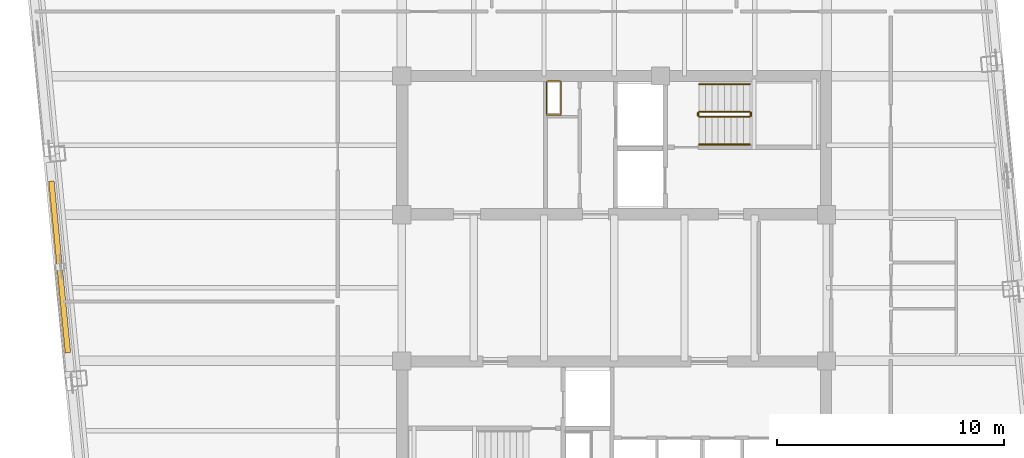
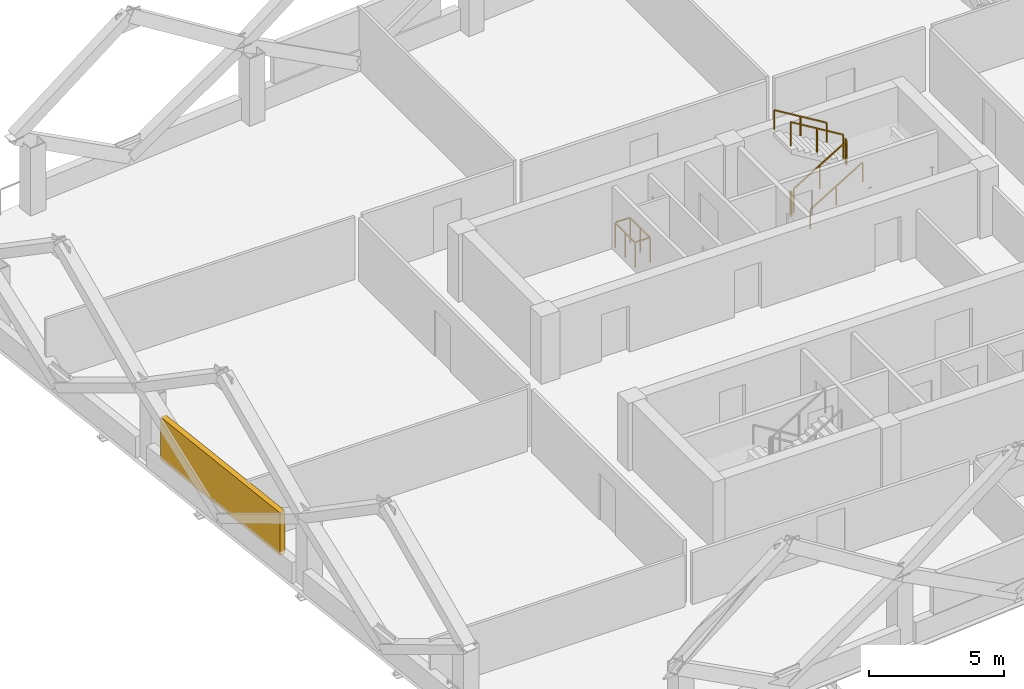
# One storey, part 8 of 9: 7 railings, 1 shading device.
"""IFC4 building model written with IfcOpenShell, lengths in metres."""

from ifc_helpers import new_model, si_unit, direction, frame, origin, origin_2d, place, context, subcontext, project, spatial, rectangle, extrude, material, type_object, element, save


model = new_model("IFC4")

# Units and contexts
model_context = context("Model", 3, precision=1e-05, world=origin(), true_north=direction((0.0, 1.0)))
body_context = subcontext(model_context, "Body", "Model", "MODEL_VIEW")
ifc_project = project(units=[si_unit("LENGTHUNIT", "METRE"), si_unit("AREAUNIT", "SQUARE_METRE"), si_unit("VOLUMEUNIT", "CUBIC_METRE"), si_unit("PLANEANGLEUNIT", "RADIAN"), si_unit("MASSUNIT", "GRAM", prefix="KILO")], contexts=[model_context])

# Site, building, storey
site_placement = place(None, origin())
site = spatial("IfcSite", under=ifc_project, at=site_placement, CompositionType="ELEMENT")
building_placement = place(site_placement, origin())
building = spatial("IfcBuilding", under=site, at=building_placement, Name="Qhalaya Broadcast Tower", CompositionType="ELEMENT")
storey_placement = place(building_placement, frame((0.0, 0.0, 180.550048828125)))
storey = spatial("IfcBuildingStorey", under=building, at=storey_placement, Name="L53", CompositionType="ELEMENT", Elevation=180.550048828125)

# Railings
ifc_material_1 = material(Name="Powder-Coated Galvanised Steel", Category="steel")
railing_type_1 = type_object("IfcRailingType", Name="Stair Wall Handrail 900", PredefinedType="HANDRAIL", material=ifc_material_1)
railing_1_placement = place(storey_placement, frame((3.75, 6.929931640625, 0.16943359375)))
element("IfcRailing", 1, at=railing_1_placement, inside=storey, type_object=railing_type_1, Name="L53 ST-1 Stair Handrail 1", PredefinedType="HANDRAIL", context=body_context, shape_type="SweptSolid", body=[
    extrude(rectangle(XDim=0.048095703125, YDim=0.048095703125, at=origin_2d()), frame((0.0, 0.0, 0.8759765625), z_axis=(0.855553338991, 0.0, 0.51771467445), x_axis=(0.0, 1.0, 0.0)), (0.0, 0.0, 1.0), 2.6181640625),
    extrude(rectangle(XDim=0.0419921875, YDim=0.0419921875, at=origin_2d()), origin(), (0.0, 0.0, 1.0), 0.849853515625),
    extrude(rectangle(XDim=0.0419921875, YDim=0.0419921875, at=origin_2d()), frame((1.1201171875, 0.0, 0.677734375)), (0.0, 0.0, 1.0), 0.849853515625),
    extrude(rectangle(XDim=0.0419921875, YDim=0.0419921875, at=origin_2d()), frame((2.239990234375, 0.0, 1.35546875)), (0.0, 0.0, 1.0), 0.849853515625),
])
railing_2_placement = place(storey_placement, frame((5.989990234375, 9.590087890625, 1.6943359375)))
element("IfcRailing", 2, at=railing_2_placement, inside=storey, type_object=railing_type_1, Name="L53 ST-1 Stair Handrail 2", PredefinedType="HANDRAIL", context=body_context, shape_type="SweptSolid", body=[
    extrude(rectangle(XDim=0.048095703125, YDim=0.048095703125, at=origin_2d()), frame((0.0, 0.0, 0.8759765625), z_axis=(-0.855512035549, 0.0, 0.517782924622), x_axis=(0.0, -1.0, 0.0)), (0.0, 0.0, 1.0), 2.618408203125),
    extrude(rectangle(XDim=0.0419921875, YDim=0.0419921875, at=origin_2d()), origin(), (0.0, 0.0, 1.0), 0.849853515625),
    extrude(rectangle(XDim=0.0419921875, YDim=0.0419921875, at=origin_2d()), frame((-1.1201171875, 0.0, 0.677734375)), (0.0, 0.0, 1.0), 0.849853515625),
    extrude(rectangle(XDim=0.0419921875, YDim=0.0419921875, at=origin_2d()), frame((-2.239990234375, 0.0, 1.355712890625)), (0.0, 0.0, 1.0), 0.849853515625),
])
railing_type_2 = type_object("IfcRailingType", Name="Stair Well & Landing Guardrail 1100", PredefinedType="GUARDRAIL", material=ifc_material_1)
railing_3_placement = place(storey_placement, frame((-2.340087890625, 8.239990234375, 0.0)))
element("IfcRailing", 3, at=railing_3_placement, inside=storey, type_object=railing_type_2, Name="L53 Service Riser Opening Safety Guard NRSR", PredefinedType="GUARDRAIL", context=body_context, shape_type="SweptSolid", body=[
    extrude(rectangle(XDim=0.048095703125, YDim=0.048095703125, at=origin_2d()), frame((0.0, 0.02880859375, 1.1259765625), z_axis=(0.0, 1.0, 0.0), x_axis=(-1.0, 0.0, 0.0)), (0.0, 0.0, 1.0), 1.42236328125),
    extrude(rectangle(XDim=0.048095703125, YDim=0.048095703125, at=origin_2d()), frame((-0.02880859375, 1.47998046875, 1.1259765625), z_axis=(-1.0, 0.0, 0.0), x_axis=(0.0, -1.0, 0.0)), (0.0, 0.0, 1.0), 0.582275390625),
    extrude(rectangle(XDim=0.048095703125, YDim=0.048095703125, at=origin_2d()), frame((-0.639892578125, 1.451171875, 1.1259765625), z_axis=(0.0, -1.0, 0.0), x_axis=(1.0, 0.0, 0.0)), (0.0, 0.0, 1.0), 1.42236328125),
    extrude(rectangle(XDim=0.048095703125, YDim=0.048095703125, at=origin_2d()), frame((-0.611083984375, 0.0, 1.1259765625), z_axis=(1.0, 0.0, 0.0), x_axis=(0.0, 1.0, 0.0)), (0.0, 0.0, 1.0), 0.582275390625),
    extrude(rectangle(XDim=0.0419921875, YDim=0.0419921875, at=origin_2d()), origin(), (0.0, 0.0, 1.0), 1.099853515625),
    extrude(rectangle(XDim=0.0419921875, YDim=0.0419921875, at=origin_2d()), frame((0.0, 0.739990234375, 0.0)), (0.0, 0.0, 1.0), 1.099853515625),
    extrude(rectangle(XDim=0.0419921875, YDim=0.0419921875, at=origin_2d()), frame((0.0, 1.47998046875, 0.0)), (0.0, 0.0, 1.0), 1.099853515625),
    extrude(rectangle(XDim=0.0419921875, YDim=0.0419921875, at=origin_2d()), frame((-0.639892578125, 1.47998046875, 0.0)), (0.0, 0.0, 1.0), 1.099853515625),
    extrude(rectangle(XDim=0.0419921875, YDim=0.0419921875, at=origin_2d()), frame((-0.639892578125, 0.739990234375, 0.0)), (0.0, 0.0, 1.0), 1.099853515625),
    extrude(rectangle(XDim=0.0419921875, YDim=0.0419921875, at=origin_2d()), frame((-0.639892578125, 0.0, 0.0)), (0.0, 0.0, 1.0), 1.099853515625),
])
railing_4_placement = place(storey_placement, frame((3.75, 8.14990234375, 0.16943359375)))
element("IfcRailing", 4, at=railing_4_placement, inside=storey, type_object=railing_type_2, Name="L53 ST-1 Stair Guard 1", PredefinedType="GUARDRAIL", context=body_context, shape_type="SweptSolid", body=[
    extrude(rectangle(XDim=0.048095703125, YDim=0.048095703125, at=origin_2d()), frame((0.0, 0.0, 1.076171875), z_axis=(0.855553338991, 0.0, 0.51771467445), x_axis=(0.0, 1.0, 0.0)), (0.0, 0.0, 1.0), 2.6181640625),
    extrude(rectangle(XDim=0.0419921875, YDim=0.0419921875, at=origin_2d()), origin(), (0.0, 0.0, 1.0), 1.050048828125),
    extrude(rectangle(XDim=0.0419921875, YDim=0.0419921875, at=origin_2d()), frame((1.1201171875, 0.0, 0.677734375)), (0.0, 0.0, 1.0), 1.050048828125),
    extrude(rectangle(XDim=0.0419921875, YDim=0.0419921875, at=origin_2d()), frame((2.239990234375, 0.0, 1.35546875)), (0.0, 0.0, 1.0), 1.050048828125),
])
railing_5_placement = place(storey_placement, frame((6.0400390625, 8.199951171875, 1.52490234375)))
element("IfcRailing", 5, at=railing_5_placement, inside=storey, type_object=railing_type_2, Name="L53 ST-1 Stair Guard 2", PredefinedType="GUARDRAIL", context=body_context, shape_type="SweptSolid", body=[
    extrude(rectangle(XDim=0.048095703125, YDim=0.048095703125, at=origin_2d()), frame((0.0, 0.0, 1.076171875), z_axis=(0.0, 1.0, 0.0), x_axis=(-1.0, 0.0, 0.0)), (0.0, 0.0, 1.0), 0.1201171875),
    extrude(rectangle(XDim=0.0419921875, YDim=0.0419921875, at=origin_2d()), origin(), (0.0, 0.0, 1.0), 1.050048828125),
    extrude(rectangle(XDim=0.0419921875, YDim=0.0419921875, at=origin_2d()), frame((0.0, 0.1201171875, 0.0)), (0.0, 0.0, 1.0), 1.050048828125),
])
railing_6_placement = place(storey_placement, frame((5.989990234375, 8.3701171875, 1.6943359375)))
element("IfcRailing", 6, at=railing_6_placement, inside=storey, type_object=railing_type_2, Name="L53 ST-1 Stair Guard 3", PredefinedType="GUARDRAIL", context=body_context, shape_type="SweptSolid", body=[
    extrude(rectangle(XDim=0.048095703125, YDim=0.048095703125, at=origin_2d()), frame((0.0, 0.0, 1.076171875), z_axis=(-0.855512035549, 0.0, 0.517782924622), x_axis=(0.0, -1.0, 0.0)), (0.0, 0.0, 1.0), 2.618408203125),
    extrude(rectangle(XDim=0.0419921875, YDim=0.0419921875, at=origin_2d()), origin(), (0.0, 0.0, 1.0), 1.050048828125),
    extrude(rectangle(XDim=0.0419921875, YDim=0.0419921875, at=origin_2d()), frame((-1.1201171875, 0.0, 0.677734375)), (0.0, 0.0, 1.0), 1.050048828125),
    extrude(rectangle(XDim=0.0419921875, YDim=0.0419921875, at=origin_2d()), frame((-2.239990234375, 0.0, 1.355712890625)), (0.0, 0.0, 1.0), 1.050048828125),
])
railing_7_placement = place(storey_placement, frame((3.699951171875, 8.199951171875, 0.0)))
element("IfcRailing", 7, at=railing_7_placement, inside=storey, type_object=railing_type_2, Name="L53 ST-1 Stair Guard 4", PredefinedType="GUARDRAIL", context=body_context, shape_type="SweptSolid", body=[
    extrude(rectangle(XDim=0.048095703125, YDim=0.048095703125, at=origin_2d()), frame((0.0, 0.0, 1.076171875), z_axis=(0.0, 1.0, 0.0), x_axis=(-1.0, 0.0, 0.0)), (0.0, 0.0, 1.0), 0.1201171875),
    extrude(rectangle(XDim=0.0419921875, YDim=0.0419921875, at=origin_2d()), origin(), (0.0, 0.0, 1.0), 1.050048828125),
    extrude(rectangle(XDim=0.0419921875, YDim=0.0419921875, at=origin_2d()), frame((0.0, 0.1201171875, 0.0)), (0.0, 0.0, 1.0), 1.050048828125),
])

# Shading device
ifc_material_2 = material(Name="Fired Architectural Terracotta", Category="masonry")
shading_device_type = type_object("IfcShadingDeviceType", Name="Terracotta Baguette Solar Screen Assembly TBS-01", PredefinedType="USERDEFINED", material=ifc_material_2)
shading_device_placement = place(storey_placement, frame((-24.47314453125, 1.5244140625, 0.79248046875), z_axis=(0.0, 0.0, 1.0), x_axis=(0.09584575252, -0.995396198367, 0.0)))
element("IfcShadingDevice", 8, at=shading_device_placement, inside=storey, type_object=shading_device_type, Name="L53 Fired Terracotta Baguette Screen W", ObjectType="BAGUETTE", PredefinedType="USERDEFINED", context=body_context, shape_type="SweptSolid", body=[
    extrude(rectangle(XDim=7.60009765625, YDim=0.239990234375, at=origin_2d()), origin(), (0.0, 0.0, 1.0), 1.924072265625),
])

save(model, "model.ifc")
